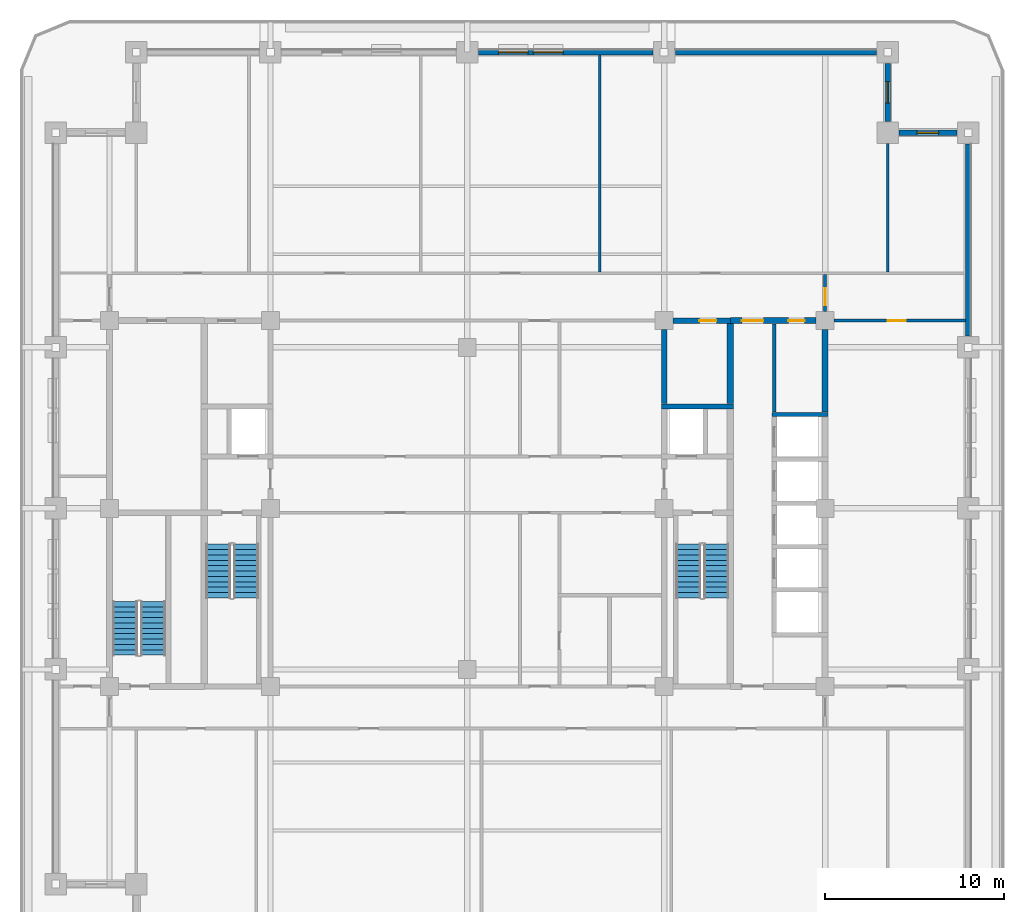
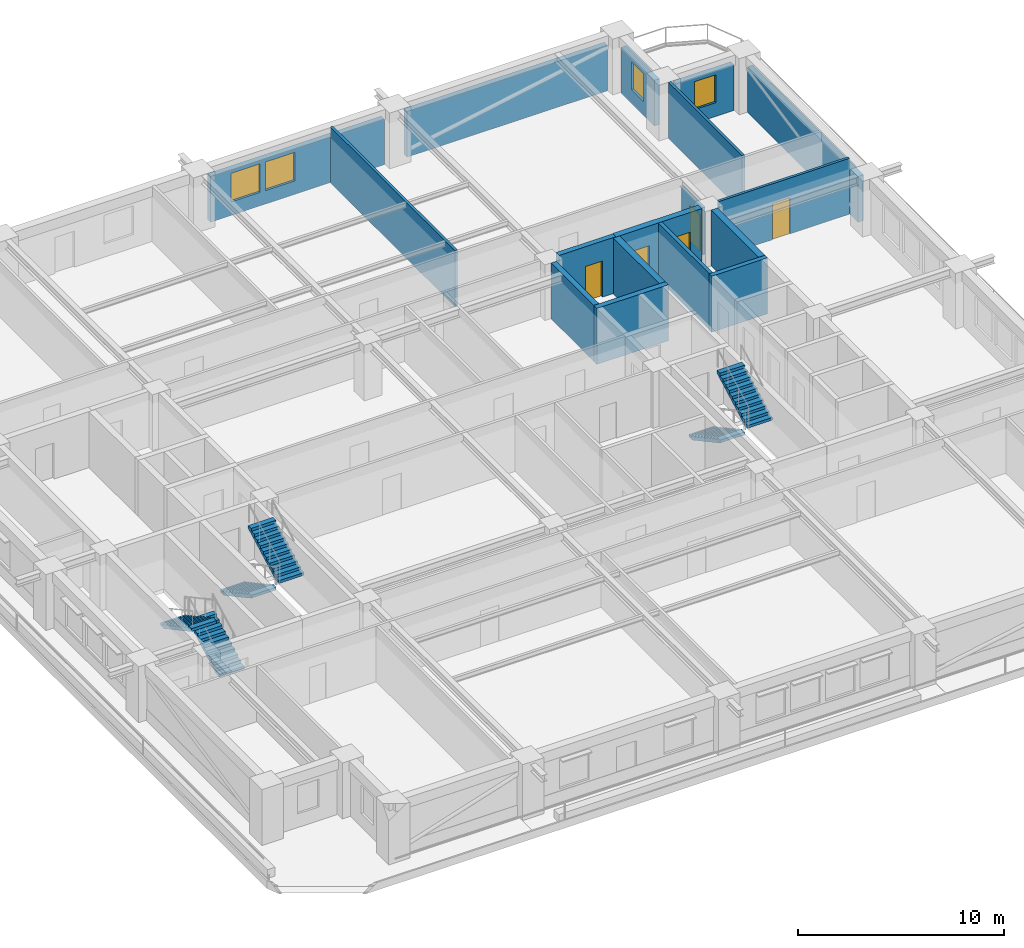
# One storey, part 6 of 13: 17 walls, 6 stair flights, 5 doors, 4 windows, 9 openings, 3 elements without a shape of their own.
"""IFC4 building model written with IfcOpenShell, lengths in metres."""

from ifc_helpers import new_model, si_unit, direction, frame, frame_2d, origin, place, context, subcontext, project, spatial, polyline, rectangle, outline, extrude, material, layer, layer_set, type_object, element, fill, aggregate, save


model = new_model("IFC4")

# Units and contexts
model_context = context("Model", 3, precision=1e-05, world=origin(), true_north=direction((0.0, 1.0)))
body_context = subcontext(model_context, "Body", "Model", "MODEL_VIEW")
ifc_project = project(units=[si_unit("LENGTHUNIT", "METRE"), si_unit("AREAUNIT", "SQUARE_METRE"), si_unit("VOLUMEUNIT", "CUBIC_METRE"), si_unit("PLANEANGLEUNIT", "RADIAN"), si_unit("MASSUNIT", "GRAM", prefix="KILO")], contexts=[model_context])

# Site, building, storey
site_placement = place(None, origin())
site = spatial("IfcSite", under=ifc_project, at=site_placement, CompositionType="ELEMENT")
building_placement = place(site_placement, origin())
building = spatial("IfcBuilding", under=site, at=building_placement, Name="Zulmaris Gate Convention Tower", CompositionType="ELEMENT")
storey_placement = place(building_placement, frame((0.0, 0.0, 105.639892578125)))
storey = spatial("IfcBuildingStorey", under=building, at=storey_placement, Name="L26", CompositionType="ELEMENT", Elevation=105.639892578125)

# Walls
ifc_material_1 = material(Name="Concrete C50/60", Category="concrete")
ifc_layer_1 = layer(ifc_material_1, 0.25, Name="Concrete C50/60")
ifc_layer_set_1 = layer_set([ifc_layer_1], Name="Concrete C50/60")
wall_type_1 = type_object("IfcWallType", Name="CORE-250", PredefinedType="SOLIDWALL", material=ifc_layer_set_1)
wall_1_placement = place(storey_placement, frame((17.02490234375, 5.25, 0.0), z_axis=(0.0, 0.0, 1.0), x_axis=(1.0, 0.0, 0.0)))
element("IfcWall", 1, at=wall_1_placement, inside=storey, type_object=wall_type_1, Name="WL-L26-014", PredefinedType="SOLIDWALL", context=body_context, shape_type="SweptSolid", body=[
    extrude(rectangle(XDim=3.150146484375, YDim=0.25, at=frame_2d((1.5751953125, 0.0))), origin(), (0.0, 0.0, 1.0), 3.320068359375),
])
ifc_layer_2 = layer(ifc_material_1, 0.300048828125, Name="Concrete C50/60")
ifc_layer_set_2 = layer_set([ifc_layer_2], Name="Concrete C50/60")
wall_type_2 = type_object("IfcWallType", Name="CORE-300", PredefinedType="SHEAR", material=ifc_layer_set_2)
wall_2_placement = place(storey_placement, frame((10.85009765625, 5.699951171875, 0.0), z_axis=(0.0, 0.0, 1.0), x_axis=(1.0, 0.0, 0.0)))
element("IfcWall", 2, at=wall_2_placement, inside=storey, type_object=wall_type_2, Name="WL-L26-016", PredefinedType="SHEAR", context=body_context, shape_type="SweptSolid", body=[
    extrude(rectangle(XDim=4.02490234375, YDim=0.300048828125, at=frame_2d((2.012451171875, 0.0))), origin(), (0.0, 0.0, 1.0), 3.320068359375),
])

# Wall, opening, door
wall_3_placement = place(storey_placement, frame((11.50390625, 10.5, 0.0), z_axis=(0.0, 0.0, 1.0), x_axis=(1.0, 0.0, 0.0)))
wall_3 = element("IfcWall", 3, at=wall_3_placement, inside=storey, type_object=wall_type_2, Name="WL-L26-019", PredefinedType="SHEAR", context=body_context, shape_type="SweptSolid", body=[
    extrude(rectangle(XDim=3.196044921875, YDim=0.300048828125, at=frame_2d((1.59814453125, 0.0))), origin(), (0.0, 0.0, 1.0), 3.320068359375),
])
opening_1_placement = place(wall_3_placement, frame((1.470947265625, 0.0, 0.0)))
opening_1 = element("IfcOpeningElement", 4, at=opening_1_placement, cuts=wall_3, Name="Opening D-11", PredefinedType="OPENING", context=body_context, shape_type="SweptSolid", body=[
    extrude(rectangle(XDim=0.949951171875, YDim=2.14990234375, at=frame_2d((0.47509765625, 1.074951171875))), frame((0.0, 0.16015625, 0.0), z_axis=(0.0, -1.0, 0.0), x_axis=(1.0, 0.0, 0.0)), (0.0, 0.0, 1.0), 0.320068359375),
])
ifc_material_2 = material(Name="Fire-Rated Timber", Category="wood")
door_type_1 = type_object("IfcDoorType", Name="DR-950-FD", OperationType="NOTDEFINED", PredefinedType="DOOR", material=ifc_material_2)
door_1_placement = place(opening_1_placement, origin())
door_1 = element("IfcDoor", 5, at=door_1_placement, inside=storey, type_object=door_type_1, Name="L26 Core Cleaners Store Door 08", OperationType="SINGLE_SWING_LEFT", OverallHeight=2.14990234375, OverallWidth=0.949951171875, PredefinedType="DOOR", context=body_context, shape_type="SweptSolid", body=[
    extrude(rectangle(XDim=0.949951171875, YDim=2.14990234375, at=frame_2d((0.47509765625, 1.074951171875))), frame((0.0, 0.02490234375, 0.0), z_axis=(0.0, -1.0, 0.0), x_axis=(1.0, 0.0, 0.0)), (0.0, 0.0, 1.0), 0.050048828125),
])
fill(opening_1, door_1)

# Wall
wall_4_placement = place(storey_placement, frame((11.0, 5.85205078125, 0.0), z_axis=(0.0, 0.0, 1.0), x_axis=(0.0, 1.0, 0.0)))
element("IfcWall", 6, at=wall_4_placement, inside=storey, type_object=wall_type_2, Name="WL-L26-049", PredefinedType="SHEAR", context=body_context, shape_type="SweptSolid", body=[
    extrude(rectangle(XDim=4.14404296875, YDim=0.300048828125, at=frame_2d((2.072021484375, 0.0))), origin(), (0.0, 0.0, 1.0), 3.320068359375),
])

# Wall, openings, doors
ifc_material_3 = material(Name="Concrete C55/67", Category="concrete")
ifc_layer_3 = layer(ifc_material_3, 0.35009765625, Name="Concrete C55/67")
ifc_layer_set_3 = layer_set([ifc_layer_3], Name="Concrete C55/67")
wall_type_3 = type_object("IfcWallType", Name="CORE-350", PredefinedType="SHEAR", material=ifc_layer_set_3)
wall_5_placement = place(storey_placement, frame((14.699951171875, 10.5, 0.0), z_axis=(0.0, 0.0, 1.0), x_axis=(1.0, 0.0, 0.0)))
wall_5 = element("IfcWall", 7, at=wall_5_placement, inside=storey, type_object=wall_type_3, Name="WL-L26-020", PredefinedType="SHEAR", context=body_context, shape_type="SweptSolid", body=[
    extrude(rectangle(XDim=4.796142578125, YDim=0.35009765625, at=frame_2d((2.39794921875, 0.0))), origin(), (0.0, 0.0, 1.0), 3.320068359375),
])
opening_2_placement = place(wall_5_placement, frame((0.64990234375, 0.0, 0.0)))
opening_2 = element("IfcOpeningElement", 8, at=opening_2_placement, cuts=wall_5, Name="Opening D-13", PredefinedType="OPENING", context=body_context, shape_type="SweptSolid", body=[
    extrude(rectangle(XDim=1.199951171875, YDim=2.14990234375, at=frame_2d((0.60009765625, 1.074951171875))), frame((0.0, 0.18505859375, 0.0), z_axis=(0.0, -1.0, 0.0), x_axis=(1.0, 0.0, 0.0)), (0.0, 0.0, 1.0), 0.3701171875),
])
opening_3_placement = place(wall_5_placement, frame((3.25, 0.0, 0.0)))
opening_3 = element("IfcOpeningElement", 9, at=opening_3_placement, cuts=wall_5, Name="Opening D-12", PredefinedType="OPENING", context=body_context, shape_type="SweptSolid", body=[
    extrude(rectangle(XDim=0.89990234375, YDim=2.14990234375, at=frame_2d((0.449951171875, 1.074951171875))), frame((0.0, 0.18505859375, 0.0), z_axis=(0.0, -1.0, 0.0), x_axis=(1.0, 0.0, 0.0)), (0.0, 0.0, 1.0), 0.3701171875),
])
ifc_material_4 = material(Name="Fire-Rated Steel", Category="steel")
door_type_2 = type_object("IfcDoorType", Name="DR-1200-FD", OperationType="NOTDEFINED", PredefinedType="DOOR", material=ifc_material_4)
door_2_placement = place(opening_2_placement, origin())
door_2 = element("IfcDoor", 10, at=door_2_placement, inside=storey, type_object=door_type_2, Name="L26 East Lift Lobby North Door 16", OperationType="SINGLE_SWING_LEFT", OverallHeight=2.14990234375, OverallWidth=1.199951171875, PredefinedType="DOOR", context=body_context, shape_type="SweptSolid", body=[
    extrude(rectangle(XDim=1.199951171875, YDim=2.14990234375, at=frame_2d((0.60009765625, 1.074951171875))), frame((0.0, 0.02490234375, 0.0), z_axis=(0.0, -1.0, 0.0), x_axis=(1.0, 0.0, 0.0)), (0.0, 0.0, 1.0), 0.050048828125),
])
fill(opening_2, door_2)
door_type_3 = type_object("IfcDoorType", Name="DR-900-FD", OperationType="NOTDEFINED", PredefinedType="DOOR", material=ifc_material_2)
door_3_placement = place(opening_3_placement, origin())
door_3 = element("IfcDoor", 11, at=door_3_placement, inside=storey, type_object=door_type_3, Name="L26 Mid-Rise Archive Door 17", OperationType="SINGLE_SWING_RIGHT", OverallHeight=2.14990234375, OverallWidth=0.89990234375, PredefinedType="DOOR", context=body_context, shape_type="SweptSolid", body=[
    extrude(rectangle(XDim=0.89990234375, YDim=2.14990234375, at=frame_2d((0.449951171875, 1.074951171875))), frame((0.0, 0.02490234375, 0.0), z_axis=(0.0, -1.0, 0.0), x_axis=(1.0, 0.0, 0.0)), (0.0, 0.0, 1.0), 0.050048828125),
])
fill(opening_3, door_3)

# Walls
wall_6_placement = place(storey_placement, frame((14.699951171875, 5.85205078125, 0.0), z_axis=(0.0, 0.0, 1.0), x_axis=(0.0, 1.0, 0.0)))
element("IfcWall", 12, at=wall_6_placement, inside=storey, type_object=wall_type_3, Name="WL-L26-055", PredefinedType="SHEAR", context=body_context, shape_type="SweptSolid", body=[
    extrude(rectangle(XDim=4.470947265625, YDim=0.35009765625, at=frame_2d((2.2353515625, 0.0))), origin(), (0.0, 0.0, 1.0), 3.320068359375),
])
wall_7_placement = place(storey_placement, frame((20.0, 5.376953125, 0.0), z_axis=(0.0, 0.0, 1.0), x_axis=(0.0, 1.0, 0.0)))
element("IfcWall", 13, at=wall_7_placement, inside=storey, type_object=wall_type_3, Name="WL-L26-067", PredefinedType="SHEAR", context=body_context, shape_type="SweptSolid", body=[
    extrude(rectangle(XDim=4.619140625, YDim=0.35009765625, at=frame_2d((2.3095703125, 0.0))), origin(), (0.0, 0.0, 1.0), 3.320068359375),
])

# Wall, opening, door
ifc_material_5 = material(Name="Gypsum Metal Stud Partition")
ifc_layer_4 = layer(ifc_material_5, 0.14990234375, Name="Gypsum Metal Stud Partition")
ifc_layer_set_4 = layer_set([ifc_layer_4], Name="Gypsum Metal Stud Partition")
wall_type_4 = type_object("IfcWallType", Name="PART-150", PredefinedType="PARTITIONING", material=ifc_layer_set_4)
wall_8_placement = place(storey_placement, frame((20.506103515625, 10.5, 0.0), z_axis=(0.0, 0.0, 1.0), x_axis=(1.0, 0.0, 0.0)))
wall_8 = element("IfcWall", 14, at=wall_8_placement, inside=storey, type_object=wall_type_4, Name="WL-L26-031", PredefinedType="PARTITIONING", context=body_context, shape_type="SweptSolid", body=[
    extrude(rectangle(XDim=7.328857421875, YDim=0.14990234375, at=frame_2d((3.66455078125, 0.0))), origin(), (0.0, 0.0, 1.0), 3.320068359375),
])
opening_4_placement = place(wall_8_placement, frame((2.993896484375, 0.0, 0.0)))
opening_4 = element("IfcOpeningElement", 15, at=opening_4_placement, cuts=wall_8, Name="Opening D-10", PredefinedType="OPENING", context=body_context, shape_type="SweptSolid", body=[
    extrude(rectangle(XDim=1.0, YDim=2.14990234375, at=frame_2d((0.5, 1.074951171875))), frame((0.0, 0.0849609375, 0.0), z_axis=(0.0, -1.0, 0.0), x_axis=(1.0, 0.0, 0.0)), (0.0, 0.0, 1.0), 0.169921875),
])
door_type_4 = type_object("IfcDoorType", Name="DR-1000-FD", OperationType="NOTDEFINED", PredefinedType="DOOR", material=ifc_material_2)
door_4_placement = place(opening_4_placement, origin())
door_4 = element("IfcDoor", 16, at=door_4_placement, inside=storey, type_object=door_type_4, Name="L26 East Workplace North Door 42", OperationType="SINGLE_SWING_LEFT", OverallHeight=2.14990234375, OverallWidth=1.0, PredefinedType="DOOR", context=body_context, shape_type="SweptSolid", body=[
    extrude(rectangle(XDim=1.0, YDim=2.14990234375, at=frame_2d((0.5, 1.074951171875))), frame((0.0, 0.02490234375, 0.0), z_axis=(0.0, -1.0, 0.0), x_axis=(1.0, 0.0, 0.0)), (0.0, 0.0, 1.0), 0.050048828125),
])
fill(opening_4, door_4)

# Wall
wall_9_placement = place(storey_placement, frame((7.39990234375, 13.22802734375, 0.0), z_axis=(0.0, 0.0, 1.0), x_axis=(0.0, 1.0, 0.0)))
element("IfcWall", 17, at=wall_9_placement, inside=storey, type_object=wall_type_4, Name="WL-L26-081", PredefinedType="PARTITIONING", context=body_context, shape_type="SweptSolid", body=[
    extrude(rectangle(XDim=12.10693359375, YDim=0.14990234375, at=frame_2d((6.053466796875, 0.0))), origin(), (0.0, 0.0, 1.0), 3.320068359375),
])

# Wall, opening, door
wall_10_placement = place(storey_placement, frame((20.0, 11.006103515625, 0.0), z_axis=(0.0, 0.0, 1.0), x_axis=(0.0, 1.0, 0.0)))
wall_10 = element("IfcWall", 18, at=wall_10_placement, inside=storey, type_object=wall_type_4, Name="WL-L26-086", PredefinedType="PARTITIONING", context=body_context, shape_type="SweptSolid", body=[
    extrude(rectangle(XDim=2.06591796875, YDim=0.14990234375, at=frame_2d((1.032958984375, 0.0))), origin(), (0.0, 0.0, 1.0), 2.81005859375),
])
opening_5_placement = place(wall_10_placement, frame((0.339111328125, 0.0, 0.0)))
opening_5 = element("IfcOpeningElement", 19, at=opening_5_placement, cuts=wall_10, Name="Opening D-11", PredefinedType="OPENING", context=body_context, shape_type="SweptSolid", body=[
    extrude(rectangle(XDim=0.949951171875, YDim=2.14990234375, at=frame_2d((0.47509765625, 1.074951171875))), frame((0.0, 0.0849609375, 0.0), z_axis=(0.0, -1.0, 0.0), x_axis=(1.0, 0.0, 0.0)), (0.0, 0.0, 1.0), 0.169921875),
])
door_5_placement = place(opening_5_placement, origin())
door_5 = element("IfcDoor", 20, at=door_5_placement, inside=storey, type_object=door_type_1, Name="L26 NE Spur Door 40", OperationType="SINGLE_SWING_LEFT", OverallHeight=2.14990234375, OverallWidth=0.949951171875, PredefinedType="DOOR", context=body_context, shape_type="SweptSolid", body=[
    extrude(rectangle(XDim=0.949951171875, YDim=2.14990234375, at=frame_2d((0.47509765625, 1.074951171875))), frame((0.0, 0.02490234375, 0.0), z_axis=(0.0, -1.0, 0.0), x_axis=(1.0, 0.0, 0.0)), (0.0, 0.0, 1.0), 0.050048828125),
])
fill(opening_5, door_5)

# Walls
wall_11_placement = place(storey_placement, frame((23.5, 13.22802734375, 0.0), z_axis=(0.0, 0.0, 1.0), x_axis=(0.0, 1.0, 0.0)))
element("IfcWall", 21, at=wall_11_placement, inside=storey, type_object=wall_type_4, Name="WL-L26-088", PredefinedType="PARTITIONING", context=body_context, shape_type="SweptSolid", body=[
    extrude(rectangle(XDim=7.166015625, YDim=0.14990234375, at=frame_2d((3.5830078125, 0.0))), origin(), (0.0, 0.0, 1.0), 3.320068359375),
])
ifc_material_6 = material(Name="Autoclaved Aerated Concrete Block and Plasterboard", Category="concrete")
ifc_layer_5 = layer(ifc_material_6, 0.199951171875, Name="Autoclaved Aerated Concrete Block and Plasterboard")
ifc_layer_set_5 = layer_set([ifc_layer_5], Name="Autoclaved Aerated Concrete Block and Plasterboard")
wall_type_5 = type_object("IfcWallType", Name="PART-200", PredefinedType="PARTITIONING", material=ifc_layer_set_5)
wall_12_placement = place(storey_placement, frame((17.14990234375, 5.3779296875, 0.0), z_axis=(0.0, 0.0, 1.0), x_axis=(0.0, 1.0, 0.0)))
element("IfcWall", 22, at=wall_12_placement, inside=storey, type_object=wall_type_5, Name="WL-L26-084", PredefinedType="PARTITIONING", context=body_context, shape_type="SweptSolid", body=[
    extrude(rectangle(XDim=4.944091796875, YDim=0.199951171875, at=frame_2d((2.47216796875, 0.0))), origin(), (0.0, 0.0, 1.0), 3.320068359375),
])

# Wall, opening, window
ifc_material_7 = material(Name="Precast concrete C40/50", Category="concrete")
ifc_layer_6 = layer(ifc_material_7, 0.300048828125, Name="Precast concrete C40/50")
ifc_layer_set_6 = layer_set([ifc_layer_6], Name="Precast concrete C40/50")
wall_type_6 = type_object("IfcWallType", Name="PRECAST-PIER-300", PredefinedType="STANDARD", material=ifc_layer_set_6)
wall_13_placement = place(storey_placement, frame((27.3701171875, 21.0, 0.0), z_axis=(0.0, 0.0, 1.0), x_axis=(-1.0, 0.0, 0.0)))
wall_13 = element("IfcWall", 23, at=wall_13_placement, inside=storey, type_object=wall_type_6, Name="EW-L26-NOTCH-NE1_0", PredefinedType="STANDARD", context=body_context, shape_type="SweptSolid", body=[
    extrude(rectangle(XDim=3.240234375, YDim=0.300048828125, at=frame_2d((1.6201171875, 0.0))), origin(), (0.0, 0.0, 1.0), 2.712158203125),
])
opening_6_placement = place(wall_13_placement, frame((1.02001953125, 0.0, 0.820068359375)))
opening_6 = element("IfcOpeningElement", 24, at=opening_6_placement, cuts=wall_13, Name="Opening W-04", PredefinedType="OPENING", context=body_context, shape_type="SweptSolid", body=[
    extrude(rectangle(XDim=1.199951171875, YDim=1.64990234375, at=frame_2d((0.60009765625, 0.824951171875))), frame((0.0, 0.16015625, 0.0), z_axis=(0.0, -1.0, 0.0), x_axis=(1.0, 0.0, 0.0)), (0.0, 0.0, 1.0), 0.320068359375),
])
ifc_material_8 = material(Name="Low-E Laminated Double Glazing in Aluminium Frame", Category="aluminium")
window_type_1 = type_object("IfcWindowType", Name="WIN-1200x2100", PartitioningType="SINGLE_PANEL", PredefinedType="WINDOW", material=ifc_material_8)
window_1_placement = place(opening_6_placement, origin())
window_1 = element("IfcWindow", 25, at=window_1_placement, inside=storey, type_object=window_type_1, Name="WN-EW-L26-NOTCH-NE1_0", OverallHeight=1.64990234375, OverallWidth=1.199951171875, PartitioningType="SINGLE_PANEL", PredefinedType="WINDOW", context=body_context, shape_type="SweptSolid", body=[
    extrude(rectangle(XDim=1.199951171875, YDim=1.64990234375, at=frame_2d((0.60009765625, 0.824951171875))), frame((0.0, 0.030029296875, 0.0), z_axis=(0.0, -1.0, 0.0), x_axis=(1.0, 0.0, 0.0)), (0.0, 0.0, 1.0), 0.06005859375),
])
fill(opening_6, window_1)

wall_14_placement = place(storey_placement, frame((23.5, 21.6298828125, 0.0), z_axis=(0.0, 0.0, 1.0), x_axis=(0.0, 1.0, 0.0)))
wall_14 = element("IfcWall", 26, at=wall_14_placement, inside=storey, type_object=wall_type_6, Name="EW-L26-NOTCH-NE2_0", PredefinedType="STANDARD", context=body_context, shape_type="SweptSolid", body=[
    extrude(rectangle(XDim=3.240234375, YDim=0.300048828125, at=frame_2d((1.6201171875, 0.0))), origin(), (0.0, 0.0, 1.0), 2.712158203125),
])
opening_7_placement = place(wall_14_placement, frame((1.02001953125, 0.0, 0.820068359375)))
opening_7 = element("IfcOpeningElement", 27, at=opening_7_placement, cuts=wall_14, Name="Opening W-04", PredefinedType="OPENING", context=body_context, shape_type="SweptSolid", body=[
    extrude(rectangle(XDim=1.199951171875, YDim=1.64990234375, at=frame_2d((0.60009765625, 0.824951171875))), frame((0.0, 0.16015625, 0.0), z_axis=(0.0, -1.0, 0.0), x_axis=(1.0, 0.0, 0.0)), (0.0, 0.0, 1.0), 0.320068359375),
])
window_2_placement = place(opening_7_placement, origin())
window_2 = element("IfcWindow", 28, at=window_2_placement, inside=storey, type_object=window_type_1, Name="WN-EW-L26-NOTCH-NE2_0", OverallHeight=1.64990234375, OverallWidth=1.199951171875, PartitioningType="SINGLE_PANEL", PredefinedType="WINDOW", context=body_context, shape_type="SweptSolid", body=[
    extrude(rectangle(XDim=1.199951171875, YDim=1.64990234375, at=frame_2d((0.60009765625, 0.824951171875))), frame((0.0, 0.030029296875, 0.0), z_axis=(0.0, -1.0, 0.0), x_axis=(1.0, 0.0, 0.0)), (0.0, 0.0, 1.0), 0.06005859375),
])
fill(opening_7, window_2)

# Wall, openings, windows
wall_15_placement = place(storey_placement, frame((10.3701171875, 25.5, 0.0), z_axis=(0.0, 0.0, 1.0), x_axis=(-1.0, 0.0, 0.0)))
wall_15 = element("IfcWall", 29, at=wall_15_placement, inside=storey, type_object=wall_type_6, Name="EW-L26-N-2_0", PredefinedType="STANDARD", context=body_context, shape_type="SweptSolid", body=[
    extrude(rectangle(XDim=9.740234375, YDim=0.300048828125, at=frame_2d((4.8701171875, 0.0))), origin(), (0.0, 0.0, 1.0), 2.712158203125),
])
opening_8_placement = place(wall_15_placement, frame((5.01904296875, 0.0, 0.800048828125)))
opening_8 = element("IfcOpeningElement", 30, at=opening_8_placement, cuts=wall_15, Name="Opening W-08", PredefinedType="OPENING", context=body_context, shape_type="SweptSolid", body=[
    extrude(rectangle(XDim=1.64990234375, YDim=1.699951171875, at=frame_2d((0.824951171875, 0.85009765625))), frame((0.0, 0.16015625, 0.0), z_axis=(0.0, -1.0, 0.0), x_axis=(1.0, 0.0, 0.0)), (0.0, 0.0, 1.0), 0.320068359375),
])
opening_9_placement = place(wall_15_placement, frame((6.967041015625, 0.0, 0.800048828125)))
opening_9 = element("IfcOpeningElement", 31, at=opening_9_placement, cuts=wall_15, Name="Opening W-08", PredefinedType="OPENING", context=body_context, shape_type="SweptSolid", body=[
    extrude(rectangle(XDim=1.64990234375, YDim=1.699951171875, at=frame_2d((0.824951171875, 0.85009765625))), frame((0.0, 0.16015625, 0.0), z_axis=(0.0, -1.0, 0.0), x_axis=(1.0, 0.0, 0.0)), (0.0, 0.0, 1.0), 0.320068359375),
])
window_type_2 = type_object("IfcWindowType", Name="WIN-1650x2150", PartitioningType="SINGLE_PANEL", PredefinedType="WINDOW", material=ifc_material_8)
window_3_placement = place(opening_8_placement, origin())
window_3 = element("IfcWindow", 32, at=window_3_placement, inside=storey, type_object=window_type_2, Name="WN-EW-L26-N-2_0-3", OverallHeight=1.699951171875, OverallWidth=1.64990234375, PartitioningType="SINGLE_PANEL", PredefinedType="WINDOW", context=body_context, shape_type="SweptSolid", body=[
    extrude(rectangle(XDim=1.64990234375, YDim=1.699951171875, at=frame_2d((0.824951171875, 0.85009765625))), frame((0.0, 0.030029296875, 0.0), z_axis=(0.0, -1.0, 0.0), x_axis=(1.0, 0.0, 0.0)), (0.0, 0.0, 1.0), 0.06005859375),
])
fill(opening_8, window_3)
window_4_placement = place(opening_9_placement, origin())
window_4 = element("IfcWindow", 33, at=window_4_placement, inside=storey, type_object=window_type_2, Name="WN-EW-L26-N-2_0-4", OverallHeight=1.699951171875, OverallWidth=1.64990234375, PartitioningType="SINGLE_PANEL", PredefinedType="WINDOW", context=body_context, shape_type="SweptSolid", body=[
    extrude(rectangle(XDim=1.64990234375, YDim=1.699951171875, at=frame_2d((0.824951171875, 0.85009765625))), frame((0.0, 0.030029296875, 0.0), z_axis=(0.0, -1.0, 0.0), x_axis=(1.0, 0.0, 0.0)), (0.0, 0.0, 1.0), 0.06005859375),
])
fill(opening_9, window_4)

# Walls
wall_16_placement = place(storey_placement, frame((22.8701171875, 25.5, 0.0), z_axis=(0.0, 0.0, 1.0), x_axis=(-1.0, 0.0, 0.0)))
element("IfcWall", 34, at=wall_16_placement, inside=storey, type_object=wall_type_6, Name="EW-L26-N-3_0", PredefinedType="STANDARD", context=body_context, shape_type="SweptSolid", body=[
    extrude(rectangle(XDim=11.240234375, YDim=0.300048828125, at=frame_2d((5.6201171875, 0.0))), origin(), (0.0, 0.0, 1.0), 2.712158203125),
])
wall_17_placement = place(storey_placement, frame((28.0, 9.6298828125, 0.0), z_axis=(0.0, 0.0, 1.0), x_axis=(0.0, 1.0, 0.0)))
element("IfcWall", 35, at=wall_17_placement, inside=storey, type_object=wall_type_6, Name="EW-L26-E-3_0", PredefinedType="STANDARD", context=body_context, shape_type="SweptSolid", body=[
    extrude(rectangle(XDim=10.740234375, YDim=0.300048828125, at=frame_2d((5.3701171875, 0.0))), origin(), (0.0, 0.0, 1.0), 2.712158203125),
])

# Stair, stair flights
ifc_material_9 = material(Name="Concrete C45/55", Category="concrete")
stair_type = type_object("IfcStairType", Name="ST-CORE-DOGLEG", PredefinedType="HALF_TURN_STAIR", material=ifc_material_9)
stair_1_placement = place(storey_placement, origin())
stair_1 = element("IfcStair", 36, at=stair_1_placement, inside=storey, type_object=stair_type, Name="L26 Core Exit Stair ST-1", PredefinedType="HALF_TURN_STAIR")
ifc_layer_7 = layer(ifc_material_9, 0.14990234375, Name="Concrete C45/55")
ifc_layer_set_7 = layer_set([ifc_layer_7], Name="Concrete C45/55")
stair_flight_type = type_object("IfcStairFlightType", Name="STF-RC150", PredefinedType="STRAIGHT", material=ifc_layer_set_7)
stair_flight_1_placement = place(storey_placement, frame((-13.919921875, -2.0, 0.0), z_axis=(0.0, 0.0, 1.0), x_axis=(0.0, -1.0, 0.0)))
stair_flight_1 = element("IfcStairFlight", 37, at=stair_flight_1_placement, type_object=stair_flight_type, Name="ST-1 flight 1", NumberOfRisers=11, NumberOfTreads=10, PredefinedType="STRAIGHT", RiserHeight=0.162277273, TreadLength=0.3, context=body_context, shape_type="SweptSolid", body=[
    extrude(outline(polyline([(0.0, 0.0), (0.0, 0.162353515625), (0.300048828125, 0.162353515625), (0.300048828125, 0.324462890625), (0.60009765625, 0.324462890625), (0.60009765625, 0.48681640625), (0.89990234375, 0.48681640625), (0.89990234375, 0.649169921875), (1.199951171875, 0.649169921875), (1.199951171875, 0.811279296875), (1.5, 0.811279296875), (1.5, 0.9736328125), (1.800048828125, 0.9736328125), (1.800048828125, 1.135986328125), (2.10009765625, 1.135986328125), (2.10009765625, 1.29833984375), (2.39990234375, 1.29833984375), (2.39990234375, 1.46044921875), (2.699951171875, 1.46044921875), (2.699951171875, 1.622802734375), (3.0, 1.622802734375), (3.0, 1.78515625), (3.0, 1.452392578125), (0.315185546875, 0.0), (0.0, 0.0)])), frame((0.0, 0.699951171875, 0.0), z_axis=(0.0, -1.0, 0.0), x_axis=(1.0, 0.0, 0.0)), (0.0, 0.0, 1.0), 1.39990234375),
])
stair_flight_2_placement = place(storey_placement, frame((-12.360107421875, -5.0, 1.78515625), z_axis=(0.0, 0.0, 1.0), x_axis=(0.0, 1.0, 0.0)))
stair_flight_2 = element("IfcStairFlight", 38, at=stair_flight_2_placement, type_object=stair_flight_type, Name="ST-1 flight 2", NumberOfRisers=11, NumberOfTreads=10, PredefinedType="STRAIGHT", RiserHeight=0.162277273, TreadLength=0.3, context=body_context, shape_type="SweptSolid", body=[
    extrude(outline(polyline([(0.0, 0.0), (0.0, 0.162353515625), (0.300048828125, 0.162353515625), (0.300048828125, 0.324462890625), (0.60009765625, 0.324462890625), (0.60009765625, 0.48681640625), (0.89990234375, 0.48681640625), (0.89990234375, 0.649169921875), (1.199951171875, 0.649169921875), (1.199951171875, 0.811279296875), (1.5, 0.811279296875), (1.5, 0.9736328125), (1.800048828125, 0.9736328125), (1.800048828125, 1.135986328125), (2.10009765625, 1.135986328125), (2.10009765625, 1.29833984375), (2.39990234375, 1.29833984375), (2.39990234375, 1.46044921875), (2.699951171875, 1.46044921875), (2.699951171875, 1.622802734375), (3.0, 1.622802734375), (3.0, 1.78515625), (3.0, 1.452392578125), (0.315185546875, 0.0), (0.0, 0.0)])), frame((0.0, 0.699951171875, 0.0), z_axis=(0.0, -1.0, 0.0), x_axis=(1.0, 0.0, 0.0)), (0.0, 0.0, 1.0), 1.39990234375),
])
aggregate(stair_1, [stair_flight_1, stair_flight_2])

stair_2_placement = place(storey_placement, origin())
stair_2 = element("IfcStair", 39, at=stair_2_placement, inside=storey, type_object=stair_type, Name="L26 Core Exit Stair ST-2", PredefinedType="HALF_TURN_STAIR")
stair_flight_3_placement = place(storey_placement, frame((12.360107421875, -2.0, 0.0), z_axis=(0.0, 0.0, 1.0), x_axis=(0.0, -1.0, 0.0)))
stair_flight_3 = element("IfcStairFlight", 40, at=stair_flight_3_placement, type_object=stair_flight_type, Name="ST-2 flight 1", NumberOfRisers=11, NumberOfTreads=10, PredefinedType="STRAIGHT", RiserHeight=0.162277273, TreadLength=0.3, context=body_context, shape_type="SweptSolid", body=[
    extrude(outline(polyline([(0.0, 0.0), (0.0, 0.162353515625), (0.300048828125, 0.162353515625), (0.300048828125, 0.324462890625), (0.60009765625, 0.324462890625), (0.60009765625, 0.48681640625), (0.89990234375, 0.48681640625), (0.89990234375, 0.649169921875), (1.199951171875, 0.649169921875), (1.199951171875, 0.811279296875), (1.5, 0.811279296875), (1.5, 0.9736328125), (1.800048828125, 0.9736328125), (1.800048828125, 1.135986328125), (2.10009765625, 1.135986328125), (2.10009765625, 1.29833984375), (2.39990234375, 1.29833984375), (2.39990234375, 1.46044921875), (2.699951171875, 1.46044921875), (2.699951171875, 1.622802734375), (3.0, 1.622802734375), (3.0, 1.78515625), (3.0, 1.452392578125), (0.315185546875, 0.0), (0.0, 0.0)])), frame((0.0, 0.699951171875, 0.0), z_axis=(0.0, -1.0, 0.0), x_axis=(1.0, 0.0, 0.0)), (0.0, 0.0, 1.0), 1.39990234375),
])
stair_flight_4_placement = place(storey_placement, frame((13.919921875, -5.0, 1.78515625), z_axis=(0.0, 0.0, 1.0), x_axis=(0.0, 1.0, 0.0)))
stair_flight_4 = element("IfcStairFlight", 41, at=stair_flight_4_placement, type_object=stair_flight_type, Name="ST-2 flight 2", NumberOfRisers=11, NumberOfTreads=10, PredefinedType="STRAIGHT", RiserHeight=0.162277273, TreadLength=0.3, context=body_context, shape_type="SweptSolid", body=[
    extrude(outline(polyline([(0.0, 0.0), (0.0, 0.162353515625), (0.300048828125, 0.162353515625), (0.300048828125, 0.324462890625), (0.60009765625, 0.324462890625), (0.60009765625, 0.48681640625), (0.89990234375, 0.48681640625), (0.89990234375, 0.649169921875), (1.199951171875, 0.649169921875), (1.199951171875, 0.811279296875), (1.5, 0.811279296875), (1.5, 0.9736328125), (1.800048828125, 0.9736328125), (1.800048828125, 1.135986328125), (2.10009765625, 1.135986328125), (2.10009765625, 1.29833984375), (2.39990234375, 1.29833984375), (2.39990234375, 1.46044921875), (2.699951171875, 1.46044921875), (2.699951171875, 1.622802734375), (3.0, 1.622802734375), (3.0, 1.78515625), (3.0, 1.452392578125), (0.315185546875, 0.0), (0.0, 0.0)])), frame((0.0, 0.699951171875, 0.0), z_axis=(0.0, -1.0, 0.0), x_axis=(1.0, 0.0, 0.0)), (0.0, 0.0, 1.0), 1.39990234375),
])
aggregate(stair_2, [stair_flight_3, stair_flight_4])

stair_3_placement = place(storey_placement, origin())
stair_3 = element("IfcStair", 42, at=stair_3_placement, inside=storey, type_object=stair_type, Name="L26 Core Exit Stair ST-3", PredefinedType="HALF_TURN_STAIR")
stair_flight_5_placement = place(storey_placement, frame((-17.56005859375, -8.199951171875, 0.0), z_axis=(0.0, 0.0, 1.0), x_axis=(0.0, 1.0, 0.0)))
stair_flight_5 = element("IfcStairFlight", 43, at=stair_flight_5_placement, type_object=stair_flight_type, Name="ST-3 flight 1", NumberOfRisers=11, NumberOfTreads=10, PredefinedType="STRAIGHT", RiserHeight=0.162277273, TreadLength=0.3, context=body_context, shape_type="SweptSolid", body=[
    extrude(outline(polyline([(0.0, 0.0), (0.0, 0.162353515625), (0.300048828125, 0.162353515625), (0.300048828125, 0.324462890625), (0.60009765625, 0.324462890625), (0.60009765625, 0.48681640625), (0.89990234375, 0.48681640625), (0.89990234375, 0.649169921875), (1.199951171875, 0.649169921875), (1.199951171875, 0.811279296875), (1.5, 0.811279296875), (1.5, 0.9736328125), (1.800048828125, 0.9736328125), (1.800048828125, 1.135986328125), (2.10009765625, 1.135986328125), (2.10009765625, 1.29833984375), (2.39990234375, 1.29833984375), (2.39990234375, 1.46044921875), (2.699951171875, 1.46044921875), (2.699951171875, 1.622802734375), (3.0, 1.622802734375), (3.0, 1.78515625), (3.0, 1.452392578125), (0.315185546875, 0.0), (0.0, 0.0)])), frame((0.0, 0.699951171875, 0.0), z_axis=(0.0, -1.0, 0.0), x_axis=(1.0, 0.0, 0.0)), (0.0, 0.0, 1.0), 1.39990234375),
])
stair_flight_6_placement = place(storey_placement, frame((-19.1201171875, -5.199951171875, 1.78515625), z_axis=(0.0, 0.0, 1.0), x_axis=(0.0, -1.0, 0.0)))
stair_flight_6 = element("IfcStairFlight", 44, at=stair_flight_6_placement, type_object=stair_flight_type, Name="ST-3 flight 2", NumberOfRisers=11, NumberOfTreads=10, PredefinedType="STRAIGHT", RiserHeight=0.162277273, TreadLength=0.3, context=body_context, shape_type="SweptSolid", body=[
    extrude(outline(polyline([(0.0, 0.0), (0.0, 0.162353515625), (0.300048828125, 0.162353515625), (0.300048828125, 0.324462890625), (0.60009765625, 0.324462890625), (0.60009765625, 0.48681640625), (0.89990234375, 0.48681640625), (0.89990234375, 0.649169921875), (1.199951171875, 0.649169921875), (1.199951171875, 0.811279296875), (1.5, 0.811279296875), (1.5, 0.9736328125), (1.800048828125, 0.9736328125), (1.800048828125, 1.135986328125), (2.10009765625, 1.135986328125), (2.10009765625, 1.29833984375), (2.39990234375, 1.29833984375), (2.39990234375, 1.46044921875), (2.699951171875, 1.46044921875), (2.699951171875, 1.622802734375), (3.0, 1.622802734375), (3.0, 1.78515625), (3.0, 1.452392578125), (0.315185546875, 0.0), (0.0, 0.0)])), frame((0.0, 0.699951171875, 0.0), z_axis=(0.0, -1.0, 0.0), x_axis=(1.0, 0.0, 0.0)), (0.0, 0.0, 1.0), 1.39990234375),
])
aggregate(stair_3, [stair_flight_5, stair_flight_6])

save(model, "model.ifc")
